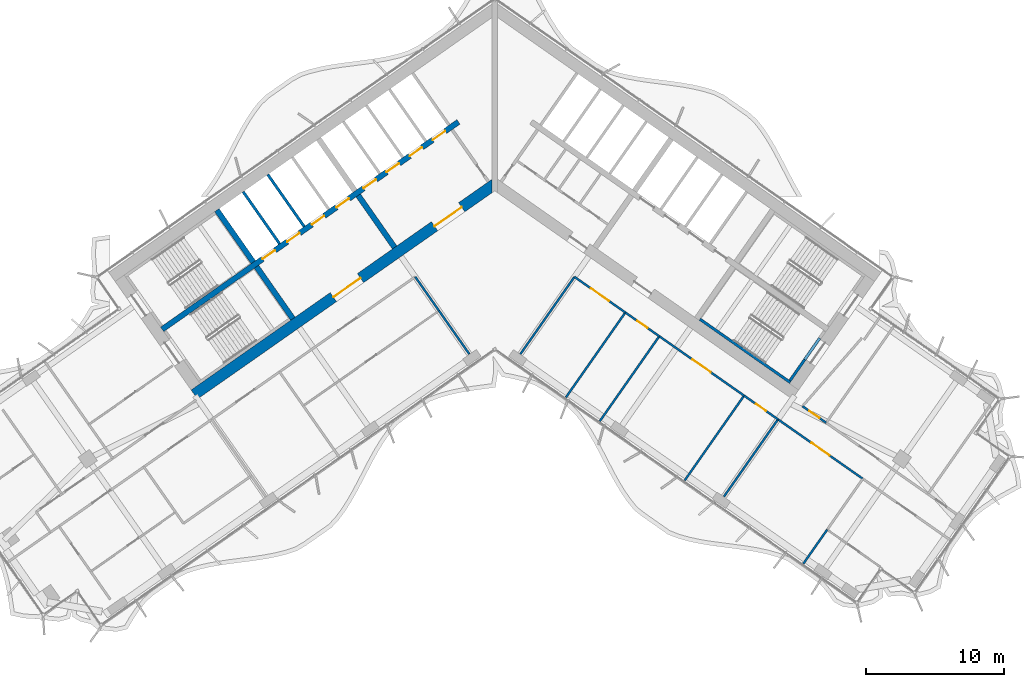
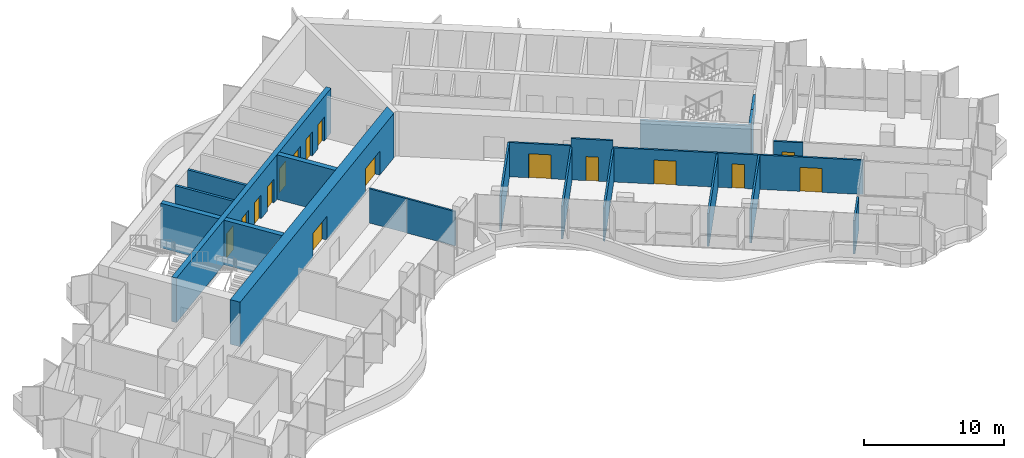
# One storey, part 13 of 21: 24 walls, 16 doors, 16 openings.
"""IFC4 building model written with IfcOpenShell, lengths in metres."""

from ifc_helpers import new_model, si_unit, direction, frame, frame_2d, origin, place, context, subcontext, project, spatial, polyline, rectangle, outline, extrude, material, layer, layer_set, type_object, element, fill, save


model = new_model("IFC4")

# Units and contexts
model_context = context("Model", 3, precision=1e-05, world=origin(), true_north=direction((0.0, 1.0)))
body_context = subcontext(model_context, "Body", "Model", "MODEL_VIEW")
ifc_project = project(units=[si_unit("LENGTHUNIT", "METRE"), si_unit("AREAUNIT", "SQUARE_METRE"), si_unit("VOLUMEUNIT", "CUBIC_METRE"), si_unit("PLANEANGLEUNIT", "RADIAN"), si_unit("MASSUNIT", "GRAM", prefix="KILO")], contexts=[model_context])

# Site, building, storey
site_placement = place(None, origin())
site = spatial("IfcSite", under=ifc_project, at=site_placement, CompositionType="ELEMENT")
building_placement = place(site_placement, origin())
building = spatial("IfcBuilding", under=site, at=building_placement, Name="Tel Ilan Convention Tower", CompositionType="ELEMENT")
storey_placement = place(building_placement, frame((0.0, 0.0, 163.199951171875)))
storey = spatial("IfcBuildingStorey", under=building, at=storey_placement, Name="L37", CompositionType="ELEMENT", Elevation=163.199951171875)

# Walls
ifc_material_1 = material(Name="Concrete C50/60", Category="concrete")
ifc_layer_1 = layer(ifc_material_1, 0.39990234375)
ifc_layer_set_1 = layer_set([ifc_layer_1], Name="Core Shear Wall 400 mm C50/60")
wall_type_1 = type_object("IfcWallType", Name="Core Shear Wall 400 mm C50/60", PredefinedType="SHEAR", material=ifc_layer_set_1)
wall_1_placement = place(storey_placement, frame((-7.2578125, -5.325927734375, 0.0), z_axis=(0.0, 0.0, 1.0), x_axis=(-0.573540709186, 0.819177059558, 0.0)))
element("IfcWall", 1, at=wall_1_placement, inside=storey, type_object=wall_type_1, Name="L37 core wall W-cross1-1", PredefinedType="SHEAR", context=body_context, shape_type="SweptSolid", body=[
    extrude(outline(polyline([(4.599853515625, 0.2001953125), (-0.000244140625, 0.199951171875), (-0.000244140625, -0.2001953125), (4.599853515625, -0.199951171875), (4.599853515625, 0.2001953125)])), origin(), (0.0, 0.0, 1.0), 3.900146484375),
])
wall_2_placement = place(storey_placement, frame((-14.6298828125, -10.48828125, 0.0), z_axis=(0.0, 0.0, 1.0), x_axis=(-0.573611936273, 0.819127185829, 0.0)))
element("IfcWall", 2, at=wall_2_placement, inside=storey, type_object=wall_type_1, Name="L37 core wall W-cross2-1", PredefinedType="SHEAR", context=body_context, shape_type="SweptSolid", body=[
    extrude(outline(polyline([(4.60009765625, 0.199951171875), (0.000244140625, 0.2001953125), (0.000244140625, -0.199951171875), (4.60009765625, -0.2001953125), (4.60009765625, 0.199951171875)])), origin(), (0.0, 0.0, 1.0), 3.900146484375),
])
wall_3_placement = place(storey_placement, frame((-17.497802734375, -6.392333984375, 0.0), z_axis=(0.0, 0.0, 1.0), x_axis=(-0.573611936273, 0.819127185829, 0.0)))
element("IfcWall", 3, at=wall_3_placement, inside=storey, type_object=wall_type_1, Name="L37 core wall W-cross2-2", PredefinedType="SHEAR", context=body_context, shape_type="SweptSolid", body=[
    extrude(outline(polyline([(4.599853515625, -0.2001953125), (4.599853515625, 0.199951171875), (0.0, 0.2001953125), (0.0, -0.199951171875), (4.599853515625, -0.2001953125)])), origin(), (0.0, 0.0, 1.0), 3.900146484375),
])

# Wall, openings, doors
wall_4_placement = place(storey_placement, frame((-2.638427734375, 3.76806640625, 0.0), z_axis=(0.0, 0.0, 1.0), x_axis=(-0.81915267502, -0.573575535572, 0.0)))
wall_4 = element("IfcWall", 4, at=wall_4_placement, inside=storey, type_object=wall_type_1, Name="L37 core wall W-spine", PredefinedType="SHEAR", context=body_context, shape_type="SweptSolid", body=[
    extrude(outline(polyline([(26.199951171875, 0.199951171875), (0.0, 0.199951171875), (0.0, -0.199951171875), (26.199951171875, -0.199951171875), (26.199951171875, 0.199951171875)])), origin(), (0.0, 0.0, 1.0), 3.900146484375),
])
opening_1_placement = place(wall_4_placement, frame((1.168701171875, 0.0, 0.0)))
opening_1 = element("IfcOpeningElement", 5, at=opening_1_placement, cuts=wall_4, Name="Opening LD2904", PredefinedType="OPENING", context=body_context, shape_type="SweptSolid", body=[
    extrude(rectangle(XDim=1.10009765625, YDim=2.10009765625, at=frame_2d((0.550048828125, 1.050048828125))), frame((0.0, 0.2099609375, 0.0), z_axis=(0.0, -1.0, 0.0), x_axis=(1.0, 0.0, 0.0)), (0.0, 0.0, 1.0), 0.419921875),
])
opening_2_placement = place(wall_4_placement, frame((3.206298828125, 0.0, 0.0)))
opening_2 = element("IfcOpeningElement", 6, at=opening_2_placement, cuts=wall_4, Name="Opening LD2905", PredefinedType="OPENING", context=body_context, shape_type="SweptSolid", body=[
    extrude(rectangle(XDim=1.10009765625, YDim=2.10009765625, at=frame_2d((0.550048828125, 1.050048828125))), frame((0.0, 0.2099609375, 0.0), z_axis=(0.0, -1.0, 0.0), x_axis=(1.0, 0.0, 0.0)), (0.0, 0.0, 1.0), 0.419921875),
])
opening_3_placement = place(wall_4_placement, frame((5.24365234375, 0.0, 0.0)))
opening_3 = element("IfcOpeningElement", 7, at=opening_3_placement, cuts=wall_4, Name="Opening LD2906", PredefinedType="OPENING", context=body_context, shape_type="SweptSolid", body=[
    extrude(rectangle(XDim=1.10009765625, YDim=2.10009765625, at=frame_2d((0.550048828125, 1.050048828125))), frame((0.0, 0.2099609375, 0.0), z_axis=(0.0, -1.0, 0.0), x_axis=(1.0, 0.0, 0.0)), (0.0, 0.0, 1.0), 0.419921875),
])
opening_4_placement = place(wall_4_placement, frame((7.28125, 0.0, 0.0)))
opening_4 = element("IfcOpeningElement", 8, at=opening_4_placement, cuts=wall_4, Name="Opening LD2907", PredefinedType="OPENING", context=body_context, shape_type="SweptSolid", body=[
    extrude(rectangle(XDim=1.10009765625, YDim=2.10009765625, at=frame_2d((0.550048828125, 1.050048828125))), frame((0.0, 0.2099609375, 0.0), z_axis=(0.0, -1.0, 0.0), x_axis=(1.0, 0.0, 0.0)), (0.0, 0.0, 1.0), 0.419921875),
])
opening_5_placement = place(wall_4_placement, frame((9.6875, 0.0, 0.0)))
opening_5 = element("IfcOpeningElement", 9, at=opening_5_placement, cuts=wall_4, Name="Opening LD2908", PredefinedType="OPENING", context=body_context, shape_type="SweptSolid", body=[
    extrude(rectangle(XDim=1.10009765625, YDim=2.10009765625, at=frame_2d((0.550048828125, 1.050048828125))), frame((0.0, 0.2099609375, 0.0), z_axis=(0.0, -1.0, 0.0), x_axis=(1.0, 0.0, 0.0)), (0.0, 0.0, 1.0), 0.419921875),
])
opening_6_placement = place(wall_4_placement, frame((11.862548828125, 0.0, 0.0)))
opening_6 = element("IfcOpeningElement", 10, at=opening_6_placement, cuts=wall_4, Name="Opening LD2909", PredefinedType="OPENING", context=body_context, shape_type="SweptSolid", body=[
    extrude(rectangle(XDim=1.10009765625, YDim=2.10009765625, at=frame_2d((0.550048828125, 1.050048828125))), frame((0.0, 0.2099609375, 0.0), z_axis=(0.0, -1.0, 0.0), x_axis=(1.0, 0.0, 0.0)), (0.0, 0.0, 1.0), 0.419921875),
])
opening_7_placement = place(wall_4_placement, frame((14.03759765625, 0.0, 0.0)))
opening_7 = element("IfcOpeningElement", 11, at=opening_7_placement, cuts=wall_4, Name="Opening LD2910", PredefinedType="OPENING", context=body_context, shape_type="SweptSolid", body=[
    extrude(rectangle(XDim=1.10009765625, YDim=2.10009765625, at=frame_2d((0.550048828125, 1.050048828125))), frame((0.0, 0.2099609375, 0.0), z_axis=(0.0, -1.0, 0.0), x_axis=(1.0, 0.0, 0.0)), (0.0, 0.0, 1.0), 0.419921875),
])
opening_8_placement = place(wall_4_placement, frame((16.21240234375, 0.0, 0.0)))
opening_8 = element("IfcOpeningElement", 12, at=opening_8_placement, cuts=wall_4, Name="Opening LD2911", PredefinedType="OPENING", context=body_context, shape_type="SweptSolid", body=[
    extrude(rectangle(XDim=1.10009765625, YDim=2.10009765625, at=frame_2d((0.550048828125, 1.050048828125))), frame((0.0, 0.2099609375, 0.0), z_axis=(0.0, -1.0, 0.0), x_axis=(1.0, 0.0, 0.0)), (0.0, 0.0, 1.0), 0.419921875),
])
ifc_material_2 = material(Name="Stainless Steel Sliding Door Leaf", Category="steel")
door_type_1 = type_object("IfcDoorType", Name="Lift Landing Door 1100 x 2100 FD120", OperationType="NOTDEFINED", PredefinedType="DOOR", material=ifc_material_2)
door_1_placement = place(opening_1_placement, origin())
door_1 = element("IfcDoor", 13, at=door_1_placement, inside=storey, type_object=door_type_1, Name="Lift LR1 landing door", OperationType="SLIDING_TO_LEFT", OverallHeight=2.10009765625, OverallWidth=1.10009765625, PredefinedType="DOOR", context=body_context, shape_type="SweptSolid", body=[
    extrude(rectangle(XDim=1.10009765625, YDim=2.10009765625, at=frame_2d((0.550048828125, 1.050048828125))), frame((0.0, 0.02490234375, 0.0), z_axis=(0.0, -1.0, 0.0), x_axis=(1.0, 0.0, 0.0)), (0.0, 0.0, 1.0), 0.050048828125),
])
fill(opening_1, door_1)
door_2_placement = place(opening_2_placement, origin())
door_2 = element("IfcDoor", 14, at=door_2_placement, inside=storey, type_object=door_type_1, Name="Lift LR2 landing door", OperationType="SLIDING_TO_RIGHT", OverallHeight=2.10009765625, OverallWidth=1.10009765625, PredefinedType="DOOR", context=body_context, shape_type="SweptSolid", body=[
    extrude(rectangle(XDim=1.10009765625, YDim=2.10009765625, at=frame_2d((0.550048828125, 1.050048828125))), frame((0.0, 0.02490234375, 0.0), z_axis=(0.0, -1.0, 0.0), x_axis=(1.0, 0.0, 0.0)), (0.0, 0.0, 1.0), 0.050048828125),
])
fill(opening_2, door_2)
door_3_placement = place(opening_3_placement, origin())
door_3 = element("IfcDoor", 15, at=door_3_placement, inside=storey, type_object=door_type_1, Name="Lift LR3 landing door", OperationType="SLIDING_TO_LEFT", OverallHeight=2.10009765625, OverallWidth=1.10009765625, PredefinedType="DOOR", context=body_context, shape_type="SweptSolid", body=[
    extrude(rectangle(XDim=1.10009765625, YDim=2.10009765625, at=frame_2d((0.550048828125, 1.050048828125))), frame((0.0, 0.02490234375, 0.0), z_axis=(0.0, -1.0, 0.0), x_axis=(1.0, 0.0, 0.0)), (0.0, 0.0, 1.0), 0.050048828125),
])
fill(opening_3, door_3)
door_4_placement = place(opening_4_placement, origin())
door_4 = element("IfcDoor", 16, at=door_4_placement, inside=storey, type_object=door_type_1, Name="Lift LR4 landing door", OperationType="SLIDING_TO_RIGHT", OverallHeight=2.10009765625, OverallWidth=1.10009765625, PredefinedType="DOOR", context=body_context, shape_type="SweptSolid", body=[
    extrude(rectangle(XDim=1.10009765625, YDim=2.10009765625, at=frame_2d((0.550048828125, 1.050048828125))), frame((0.0, 0.02490234375, 0.0), z_axis=(0.0, -1.0, 0.0), x_axis=(1.0, 0.0, 0.0)), (0.0, 0.0, 1.0), 0.050048828125),
])
fill(opening_4, door_4)
door_5_placement = place(opening_5_placement, origin())
door_5 = element("IfcDoor", 17, at=door_5_placement, inside=storey, type_object=door_type_1, Name="Lift LR5 landing door", OperationType="SLIDING_TO_LEFT", OverallHeight=2.10009765625, OverallWidth=1.10009765625, PredefinedType="DOOR", context=body_context, shape_type="SweptSolid", body=[
    extrude(rectangle(XDim=1.10009765625, YDim=2.10009765625, at=frame_2d((0.550048828125, 1.050048828125))), frame((0.0, 0.02490234375, 0.0), z_axis=(0.0, -1.0, 0.0), x_axis=(1.0, 0.0, 0.0)), (0.0, 0.0, 1.0), 0.050048828125),
])
fill(opening_5, door_5)
door_6_placement = place(opening_6_placement, origin())
door_6 = element("IfcDoor", 18, at=door_6_placement, inside=storey, type_object=door_type_1, Name="Lift LR6 landing door", OperationType="SLIDING_TO_RIGHT", OverallHeight=2.10009765625, OverallWidth=1.10009765625, PredefinedType="DOOR", context=body_context, shape_type="SweptSolid", body=[
    extrude(rectangle(XDim=1.10009765625, YDim=2.10009765625, at=frame_2d((0.550048828125, 1.050048828125))), frame((0.0, 0.02490234375, 0.0), z_axis=(0.0, -1.0, 0.0), x_axis=(1.0, 0.0, 0.0)), (0.0, 0.0, 1.0), 0.050048828125),
])
fill(opening_6, door_6)
door_7_placement = place(opening_7_placement, origin())
door_7 = element("IfcDoor", 19, at=door_7_placement, inside=storey, type_object=door_type_1, Name="Lift LR7 landing door", OperationType="SLIDING_TO_LEFT", OverallHeight=2.10009765625, OverallWidth=1.10009765625, PredefinedType="DOOR", context=body_context, shape_type="SweptSolid", body=[
    extrude(rectangle(XDim=1.10009765625, YDim=2.10009765625, at=frame_2d((0.550048828125, 1.050048828125))), frame((0.0, 0.02490234375, 0.0), z_axis=(0.0, -1.0, 0.0), x_axis=(1.0, 0.0, 0.0)), (0.0, 0.0, 1.0), 0.050048828125),
])
fill(opening_7, door_7)
door_8_placement = place(opening_8_placement, origin())
door_8 = element("IfcDoor", 20, at=door_8_placement, inside=storey, type_object=door_type_1, Name="Lift LR8 landing door", OperationType="SLIDING_TO_RIGHT", OverallHeight=2.10009765625, OverallWidth=1.10009765625, PredefinedType="DOOR", context=body_context, shape_type="SweptSolid", body=[
    extrude(rectangle(XDim=1.10009765625, YDim=2.10009765625, at=frame_2d((0.550048828125, 1.050048828125))), frame((0.0, 0.02490234375, 0.0), z_axis=(0.0, -1.0, 0.0), x_axis=(1.0, 0.0, 0.0)), (0.0, 0.0, 1.0), 0.050048828125),
])
fill(opening_8, door_8)

ifc_material_3 = material(Name="Concrete C50/60", Category="concrete")
ifc_layer_2 = layer(ifc_material_3, 0.800048828125)
ifc_layer_set_2 = layer_set([ifc_layer_2], Name="Core Shear Wall 800 mm C50/60")
wall_type_2 = type_object("IfcWallType", Name="Core Shear Wall 800 mm C50/60", PredefinedType="SHEAR", material=ifc_layer_set_2)
wall_5_placement = place(storey_placement, frame((0.029296875, -0.7119140625, 0.0), z_axis=(0.0, 0.0, 1.0), x_axis=(-0.819151758019, -0.573576845187, 0.0)))
wall_5 = element("IfcWall", 21, at=wall_5_placement, inside=storey, type_object=wall_type_2, Name="L37 core wall W-front", PredefinedType="SHEAR", context=body_context, shape_type="SweptSolid", body=[
    extrude(outline(polyline([(26.61572265625, 0.39990234375), (0.56005859375, 0.39990234375), (-0.000244140625, -0.39990234375), (26.61572265625, -0.39990234375), (26.61572265625, 0.39990234375)])), origin(), (0.0, 0.0, 1.0), 3.900146484375),
])
opening_9_placement = place(wall_5_placement, frame((2.9658203125, 0.0, 0.0)))
opening_9 = element("IfcOpeningElement", 22, at=opening_9_placement, cuts=wall_5, Name="Opening CD2905", PredefinedType="OPENING", context=body_context, shape_type="SweptSolid", body=[
    extrude(rectangle(XDim=2.39990234375, YDim=2.10009765625, at=frame_2d((1.199951171875, 1.050048828125))), frame((0.0, 0.409912109375, 0.0), z_axis=(0.0, -1.0, 0.0), x_axis=(1.0, 0.0, 0.0)), (0.0, 0.0, 1.0), 0.820068359375),
])
opening_10_placement = place(wall_5_placement, frame((11.915771484375, 0.0, 0.0)))
opening_10 = element("IfcOpeningElement", 23, at=opening_10_placement, cuts=wall_5, Name="Opening CD2906", PredefinedType="OPENING", context=body_context, shape_type="SweptSolid", body=[
    extrude(rectangle(XDim=2.39990234375, YDim=2.10009765625, at=frame_2d((1.199951171875, 1.050048828125))), frame((0.0, 0.409912109375, 0.0), z_axis=(0.0, -1.0, 0.0), x_axis=(1.0, 0.0, 0.0)), (0.0, 0.0, 1.0), 0.820068359375),
])
ifc_material_4 = material(Name="Glazed Aluminium Door Leaf", Category="aluminium")
door_type_2 = type_object("IfcDoorType", Name="Lobby Opening Door 2400 x 2100 FD60S", OperationType="NOTDEFINED", PredefinedType="DOOR", material=ifc_material_4)
door_9_placement = place(opening_9_placement, origin())
door_9 = element("IfcDoor", 24, at=door_9_placement, inside=storey, type_object=door_type_2, Name="Lift Lobby LR1-LR4 opening", OperationType="DOUBLE_DOOR_SINGLE_SWING", OverallHeight=2.10009765625, OverallWidth=2.39990234375, PredefinedType="DOOR", context=body_context, shape_type="SweptSolid", body=[
    extrude(rectangle(XDim=2.39990234375, YDim=2.10009765625, at=frame_2d((1.199951171875, 1.050048828125))), frame((0.0, 0.02490234375, 0.0), z_axis=(0.0, -1.0, 0.0), x_axis=(1.0, 0.0, 0.0)), (0.0, 0.0, 1.0), 0.050048828125),
])
fill(opening_9, door_9)
door_10_placement = place(opening_10_placement, origin())
door_10 = element("IfcDoor", 25, at=door_10_placement, inside=storey, type_object=door_type_2, Name="Lift Lobby LR5-LR8 opening", OperationType="DOUBLE_DOOR_SINGLE_SWING", OverallHeight=2.10009765625, OverallWidth=2.39990234375, PredefinedType="DOOR", context=body_context, shape_type="SweptSolid", body=[
    extrude(rectangle(XDim=2.39990234375, YDim=2.10009765625, at=frame_2d((1.199951171875, 1.050048828125))), frame((0.0, 0.02490234375, 0.0), z_axis=(0.0, -1.0, 0.0), x_axis=(1.0, 0.0, 0.0)), (0.0, 0.0, 1.0), 0.050048828125),
])
fill(opening_10, door_10)

# Wall, opening, door
ifc_material_5 = material(Name="Plasterboard on Steel Studs", Category="steel")
ifc_layer_3 = layer(ifc_material_5, 0.14990234375)
ifc_layer_set_3 = layer_set([ifc_layer_3], Name="Fire-rated Partition 150 EI 60")
wall_type_3 = type_object("IfcWallType", Name="Fire-rated Partition 150 EI 60", PredefinedType="PARTITIONING", material=ifc_layer_set_3)
wall_6_placement = place(storey_placement, frame((22.283203125, -16.82373046875, 0.0), z_axis=(0.0, 0.0, 1.0), x_axis=(0.819182738768, -0.573532597595, 0.0)))
wall_6 = element("IfcWall", 26, at=wall_6_placement, inside=storey, type_object=wall_type_3, Name="Partition 001", PredefinedType="PARTITIONING", context=body_context, shape_type="SweptSolid", body=[
    extrude(rectangle(XDim=2.09912109375, YDim=0.14990234375, at=frame_2d((1.049560546875, 0.0))), origin(), (0.0, 0.0, 1.0), 3.0),
])
opening_11_placement = place(wall_6_placement, frame((0.599609375, 0.0, 0.0)))
opening_11 = element("IfcOpeningElement", 27, at=opening_11_placement, cuts=wall_6, Name="Opening L37-019", PredefinedType="OPENING", context=body_context, shape_type="SweptSolid", body=[
    extrude(rectangle(XDim=0.89990234375, YDim=2.10009765625, at=frame_2d((0.449951171875, 1.050048828125))), frame((0.0, 0.0849609375, 0.0), z_axis=(0.0, -1.0, 0.0), x_axis=(1.0, 0.0, 0.0)), (0.0, 0.0, 1.0), 0.169921875),
])
ifc_material_6 = material(Name="Timber Door Leaf in Steel Frame", Category="steel")
door_type_3 = type_object("IfcDoorType", Name="Room Fire Door 900x2100", OperationType="NOTDEFINED", PredefinedType="DOOR", material=ifc_material_6)
door_11_placement = place(opening_11_placement, origin())
door_11 = element("IfcDoor", 28, at=door_11_placement, inside=storey, type_object=door_type_3, Name="Door L37-019", OperationType="SINGLE_SWING_LEFT", OverallHeight=2.10009765625, OverallWidth=0.89990234375, PredefinedType="DOOR", context=body_context, shape_type="SweptSolid", body=[
    extrude(rectangle(XDim=0.89990234375, YDim=2.10009765625, at=frame_2d((0.449951171875, 1.050048828125))), frame((0.0, 0.02490234375, 0.0), z_axis=(0.0, -1.0, 0.0), x_axis=(1.0, 0.0, 0.0)), (0.0, 0.0, 1.0), 0.050048828125),
])
fill(opening_11, door_11)

wall_7_placement = place(storey_placement, frame((9.4541015625, -10.0380859375, 0.0), z_axis=(0.0, 0.0, 1.0), x_axis=(-0.819142740634, 0.573589723117, 0.0)))
wall_7 = element("IfcWall", 29, at=wall_7_placement, inside=storey, type_object=wall_type_3, Name="Partition 004", PredefinedType="PARTITIONING", context=body_context, shape_type="SweptSolid", body=[
    extrude(rectangle(XDim=4.501953125, YDim=0.14990234375, at=frame_2d((2.2509765625, 0.0))), origin(), (0.0, 0.0, 1.0), 3.0),
])
opening_12_placement = place(wall_7_placement, frame((1.450927734375, 0.0, 0.0)))
opening_12 = element("IfcOpeningElement", 30, at=opening_12_placement, cuts=wall_7, Name="Opening L37-012", PredefinedType="OPENING", context=body_context, shape_type="SweptSolid", body=[
    extrude(rectangle(XDim=1.60009765625, YDim=2.10009765625, at=frame_2d((0.800048828125, 1.050048828125))), frame((0.0, 0.0849609375, 0.0), z_axis=(0.0, -1.0, 0.0), x_axis=(1.0, 0.0, 0.0)), (0.0, 0.0, 1.0), 0.169921875),
])
ifc_material_7 = material(Name="Timber Door Leaf in Steel Frame", Category="steel")
door_type_4 = type_object("IfcDoorType", Name="Tenant Suite Entrance Fire Door 1600x2100", OperationType="NOTDEFINED", PredefinedType="DOOR", material=ifc_material_7)
door_12_placement = place(opening_12_placement, origin())
door_12 = element("IfcDoor", 31, at=door_12_placement, inside=storey, type_object=door_type_4, Name="Door L37-012", OperationType="DOUBLE_DOOR_SINGLE_SWING", OverallHeight=2.10009765625, OverallWidth=1.60009765625, PredefinedType="DOOR", context=body_context, shape_type="SweptSolid", body=[
    extrude(rectangle(XDim=1.60009765625, YDim=2.10009765625, at=frame_2d((0.800048828125, 1.050048828125))), frame((0.0, 0.02490234375, 0.0), z_axis=(0.0, -1.0, 0.0), x_axis=(1.0, 0.0, 0.0)), (0.0, 0.0, 1.0), 0.050048828125),
])
fill(opening_12, door_12)

wall_8_placement = place(storey_placement, frame((11.91162109375, -11.7587890625, 0.0), z_axis=(0.0, 0.0, 1.0), x_axis=(-0.81916700466, 0.573555070134, 0.0)))
wall_8 = element("IfcWall", 32, at=wall_8_placement, inside=storey, type_object=wall_type_3, Name="Partition 005", PredefinedType="PARTITIONING", context=body_context, shape_type="SweptSolid", body=[
    extrude(rectangle(XDim=3.00390625, YDim=0.14990234375, at=frame_2d((1.501953125, 0.0))), origin(), (0.0, 0.0, 1.0), 3.6201171875),
])
opening_13_placement = place(wall_8_placement, frame((1.052001953125, 0.0, 0.0)))
opening_13 = element("IfcOpeningElement", 33, at=opening_13_placement, cuts=wall_8, Name="Opening L37-013", PredefinedType="OPENING", context=body_context, shape_type="SweptSolid", body=[
    extrude(rectangle(XDim=0.89990234375, YDim=2.10009765625, at=frame_2d((0.449951171875, 1.050048828125))), frame((0.0, 0.0849609375, 0.0), z_axis=(0.0, -1.0, 0.0), x_axis=(1.0, 0.0, 0.0)), (0.0, 0.0, 1.0), 0.169921875),
])
door_13_placement = place(opening_13_placement, origin())
door_13 = element("IfcDoor", 34, at=door_13_placement, inside=storey, type_object=door_type_3, Name="Door L37-013", OperationType="SINGLE_SWING_RIGHT", OverallHeight=2.10009765625, OverallWidth=0.89990234375, PredefinedType="DOOR", context=body_context, shape_type="SweptSolid", body=[
    extrude(rectangle(XDim=0.89990234375, YDim=2.10009765625, at=frame_2d((0.449951171875, 1.050048828125))), frame((0.0, 0.02490234375, 0.0), z_axis=(0.0, -1.0, 0.0), x_axis=(1.0, 0.0, 0.0)), (0.0, 0.0, 1.0), 0.050048828125),
])
fill(opening_13, door_13)

wall_9_placement = place(storey_placement, frame((18.055419921875, -16.060546875, 0.0), z_axis=(0.0, 0.0, 1.0), x_axis=(-0.819164661457, 0.573558416746, 0.0)))
wall_9 = element("IfcWall", 35, at=wall_9_placement, inside=storey, type_object=wall_type_3, Name="Partition 006", PredefinedType="PARTITIONING", context=body_context, shape_type="SweptSolid", body=[
    extrude(rectangle(XDim=7.50390625, YDim=0.14990234375, at=frame_2d((3.751953125, 0.0))), origin(), (0.0, 0.0, 1.0), 3.0),
])
opening_14_placement = place(wall_9_placement, frame((2.951904296875, 0.0, 0.0)))
opening_14 = element("IfcOpeningElement", 36, at=opening_14_placement, cuts=wall_9, Name="Opening L37-014", PredefinedType="OPENING", context=body_context, shape_type="SweptSolid", body=[
    extrude(rectangle(XDim=1.60009765625, YDim=2.10009765625, at=frame_2d((0.800048828125, 1.050048828125))), frame((0.0, 0.0849609375, 0.0), z_axis=(0.0, -1.0, 0.0), x_axis=(1.0, 0.0, 0.0)), (0.0, 0.0, 1.0), 0.169921875),
])
door_14_placement = place(opening_14_placement, origin())
door_14 = element("IfcDoor", 37, at=door_14_placement, inside=storey, type_object=door_type_4, Name="Door L37-014", OperationType="DOUBLE_DOOR_SINGLE_SWING", OverallHeight=2.10009765625, OverallWidth=1.60009765625, PredefinedType="DOOR", context=body_context, shape_type="SweptSolid", body=[
    extrude(rectangle(XDim=1.60009765625, YDim=2.10009765625, at=frame_2d((0.800048828125, 1.050048828125))), frame((0.0, 0.02490234375, 0.0), z_axis=(0.0, -1.0, 0.0), x_axis=(1.0, 0.0, 0.0)), (0.0, 0.0, 1.0), 0.050048828125),
])
fill(opening_14, door_14)

wall_10_placement = place(storey_placement, frame((20.5126953125, -17.781494140625, 0.0), z_axis=(0.0, 0.0, 1.0), x_axis=(-0.819128818764, 0.573609604409, 0.0)))
wall_10 = element("IfcWall", 38, at=wall_10_placement, inside=storey, type_object=wall_type_3, Name="Partition 007", PredefinedType="PARTITIONING", context=body_context, shape_type="SweptSolid", body=[
    extrude(rectangle(XDim=3.004150390625, YDim=0.14990234375, at=frame_2d((1.501953125, 0.0))), origin(), (0.0, 0.0, 1.0), 3.0),
])
opening_15_placement = place(wall_10_placement, frame((1.052001953125, 0.0, 0.0)))
opening_15 = element("IfcOpeningElement", 39, at=opening_15_placement, cuts=wall_10, Name="Opening L37-015", PredefinedType="OPENING", context=body_context, shape_type="SweptSolid", body=[
    extrude(rectangle(XDim=0.89990234375, YDim=2.10009765625, at=frame_2d((0.449951171875, 1.050048828125))), frame((0.0, 0.0849609375, 0.0), z_axis=(0.0, -1.0, 0.0), x_axis=(1.0, 0.0, 0.0)), (0.0, 0.0, 1.0), 0.169921875),
])
door_15_placement = place(opening_15_placement, origin())
door_15 = element("IfcDoor", 40, at=door_15_placement, inside=storey, type_object=door_type_3, Name="Door L37-015", OperationType="SINGLE_SWING_RIGHT", OverallHeight=2.10009765625, OverallWidth=0.89990234375, PredefinedType="DOOR", context=body_context, shape_type="SweptSolid", body=[
    extrude(rectangle(XDim=0.89990234375, YDim=2.10009765625, at=frame_2d((0.449951171875, 1.050048828125))), frame((0.0, 0.02490234375, 0.0), z_axis=(0.0, -1.0, 0.0), x_axis=(1.0, 0.0, 0.0)), (0.0, 0.0, 1.0), 0.050048828125),
])
fill(opening_15, door_15)

wall_11_placement = place(storey_placement, frame((26.65625, -22.083251953125, 0.0), z_axis=(0.0, 0.0, 1.0), x_axis=(-0.819138671238, 0.573595534573, 0.0)))
wall_11 = element("IfcWall", 41, at=wall_11_placement, inside=storey, type_object=wall_type_3, Name="Partition 008", PredefinedType="PARTITIONING", context=body_context, shape_type="SweptSolid", body=[
    extrude(rectangle(XDim=7.50390625, YDim=0.14990234375, at=frame_2d((3.751953125, 0.0))), origin(), (0.0, 0.0, 1.0), 3.0),
])
opening_16_placement = place(wall_11_placement, frame((2.951904296875, 0.0, 0.0)))
opening_16 = element("IfcOpeningElement", 42, at=opening_16_placement, cuts=wall_11, Name="Opening L37-016", PredefinedType="OPENING", context=body_context, shape_type="SweptSolid", body=[
    extrude(rectangle(XDim=1.60009765625, YDim=2.10009765625, at=frame_2d((0.800048828125, 1.050048828125))), frame((0.0, 0.0849609375, 0.0), z_axis=(0.0, -1.0, 0.0), x_axis=(1.0, 0.0, 0.0)), (0.0, 0.0, 1.0), 0.169921875),
])
door_16_placement = place(opening_16_placement, origin())
door_16 = element("IfcDoor", 43, at=door_16_placement, inside=storey, type_object=door_type_4, Name="Door L37-016", OperationType="DOUBLE_DOOR_SINGLE_SWING", OverallHeight=2.10009765625, OverallWidth=1.60009765625, PredefinedType="DOOR", context=body_context, shape_type="SweptSolid", body=[
    extrude(rectangle(XDim=1.60009765625, YDim=2.10009765625, at=frame_2d((0.800048828125, 1.050048828125))), frame((0.0, 0.02490234375, 0.0), z_axis=(0.0, -1.0, 0.0), x_axis=(1.0, 0.0, 0.0)), (0.0, 0.0, 1.0), 0.050048828125),
])
fill(opening_16, door_16)

# Walls
wall_12_placement = place(storey_placement, frame((9.452392578125, -10.036865234375, 0.0), z_axis=(0.0, 0.0, 1.0), x_axis=(-0.573575945067, -0.81915238829, 0.0)))
element("IfcWall", 44, at=wall_12_placement, inside=storey, type_object=wall_type_3, Name="Partition 023", PredefinedType="PARTITIONING", context=body_context, shape_type="SweptSolid", body=[
    extrude(rectangle(XDim=7.5, YDim=0.14990234375, at=frame_2d((3.75, 0.0))), origin(), (0.0, 0.0, 1.0), 2.900146484375),
])
wall_13_placement = place(storey_placement, frame((1.848876953125, -13.050537109375, 0.0), z_axis=(0.0, 0.0, 1.0), x_axis=(0.573577493031, 0.819151304393, 0.0)))
element("IfcWall", 45, at=wall_13_placement, inside=storey, type_object=wall_type_3, Name="Partition 024", PredefinedType="PARTITIONING", context=body_context, shape_type="SweptSolid", body=[
    extrude(rectangle(XDim=6.829833984375, YDim=0.14990234375, at=frame_2d((3.4150390625, 0.0))), origin(), (0.0, 0.0, 1.0), 3.0),
])
for number, where, z_axis, x_axis, name in (
    (46, (11.909912109375, -11.757568359375, 0.0), (0.0, 0.0, 1.0), (-0.573560650686, -0.819163097304, 0.0), "Partition 025"),
    (47, (18.0537109375, -16.0595703125, 0.0), (0.0, 0.0, 1.0), (-0.573597787563, -0.819137093595, 0.0), "Partition 026"),
):
    element("IfcWall", number, at=place(storey_placement, frame(where, z_axis=z_axis, x_axis=x_axis)), inside=storey, type_object=wall_type_3, Name=name, PredefinedType="PARTITIONING", context=body_context, shape_type="SweptSolid", body=[
        extrude(rectangle(XDim=7.5, YDim=0.14990234375, at=frame_2d((3.75, 0.0))), origin(), (0.0, 0.0, 1.0), 2.900146484375),
    ])
wall_14_placement = place(storey_placement, frame((20.510986328125, -17.7802734375, 0.0), z_axis=(0.0, 0.0, 1.0), x_axis=(-0.573577493031, -0.819151304393, 0.0)))
element("IfcWall", 48, at=wall_14_placement, inside=storey, type_object=wall_type_3, Name="Partition 027", PredefinedType="PARTITIONING", context=body_context, shape_type="SweptSolid", body=[
    extrude(rectangle(XDim=6.829833984375, YDim=0.14990234375, at=frame_2d((3.4150390625, 0.0))), origin(), (0.0, 0.0, 1.0), 3.0),
])
wall_15_placement = place(storey_placement, frame((24.07421875, -25.767333984375, 0.0), z_axis=(0.0, 0.0, 1.0), x_axis=(-0.573609750632, -0.819128716369, 0.0)))
element("IfcWall", 49, at=wall_15_placement, inside=storey, type_object=wall_type_3, Name="Partition 028", PredefinedType="PARTITIONING", context=body_context, shape_type="SweptSolid", body=[
    extrude(rectangle(XDim=3.0009765625, YDim=0.14990234375, at=frame_2d((1.50048828125, 0.0))), origin(), (0.0, 0.0, 1.0), 2.900146484375),
])
wall_16_placement = place(storey_placement, frame((-1.848876953125, -13.050537109375, 0.0), z_axis=(0.0, 0.0, 1.0), x_axis=(-0.573586379587, 0.81914508187, 0.0)))
element("IfcWall", 50, at=wall_16_placement, inside=storey, type_object=wall_type_3, Name="Partition 031", PredefinedType="PARTITIONING", context=body_context, shape_type="SweptSolid", body=[
    extrude(rectangle(XDim=3.830810546875, YDim=0.14990234375, at=frame_2d((1.91552734375, 0.0))), origin(), (0.0, 0.0, 1.0), 3.0),
])
wall_17_placement = place(storey_placement, frame((-4.04443359375, -9.914794921875, 0.0), z_axis=(0.0, 0.0, 1.0), x_axis=(-0.573609604409, 0.819128818764, 0.0)))
element("IfcWall", 51, at=wall_17_placement, inside=storey, type_object=wall_type_3, Name="Partition 032", PredefinedType="PARTITIONING", context=body_context, shape_type="SweptSolid", body=[
    extrude(rectangle(XDim=3.004150390625, YDim=0.14990234375, at=frame_2d((1.501953125, 0.0))), origin(), (0.0, 0.0, 1.0), 3.0),
])
ifc_material_8 = material(Name="Concrete C30/37", Category="concrete")
ifc_layer_4 = layer(ifc_material_8, 0.199951171875)
ifc_layer_set_4 = layer_set([ifc_layer_4], Name="Lift Shaft Wall 200 mm C30/37")
wall_type_4 = type_object("IfcWallType", Name="Lift Shaft Wall 200 mm C30/37", PredefinedType="SOLIDWALL", material=ifc_layer_set_4)
for number, where, z_axis, x_axis, name in (
    (52, (-13.811767578125, -3.811279296875, 0.0), (0.0, 0.0, 1.0), (-0.573576324356, 0.819152122709, 0.0), "L37 core wall bank-W2-p1"),
    (53, (-15.593505859375, -5.058837890625, 0.0), (0.0, 0.0, 1.0), (-0.573540709186, 0.819177059558, 0.0), "L37 core wall bank-W2-p2"),
):
    element("IfcWall", number, at=place(storey_placement, frame(where, z_axis=z_axis, x_axis=x_axis)), inside=storey, type_object=wall_type_4, Name=name, PredefinedType="SOLIDWALL", context=body_context, shape_type="SweptSolid", body=[
        extrude(rectangle(XDim=4.599853515625, YDim=0.199951171875, at=frame_2d((2.2998046875, 0.0))), origin(), (0.0, 0.0, 1.0), 3.900146484375),
    ])
ifc_material_9 = material(Name="Concrete C30/37", Category="concrete")
ifc_layer_5 = layer(ifc_material_9, 0.199951171875)
ifc_layer_set_5 = layer_set([ifc_layer_5], Name="Stair and Shaft Lining Wall 200 mm C30/37")
wall_type_5 = type_object("IfcWallType", Name="Stair and Shaft Lining Wall 200 mm C30/37", PredefinedType="SOLIDWALL", material=ifc_layer_set_5)
wall_18_placement = place(storey_placement, frame((14.851318359375, -10.52099609375, 0.0), z_axis=(0.0, 0.0, 1.0), x_axis=(0.819141584393, -0.57359137434, 0.0)))
element("IfcWall", 54, at=wall_18_placement, inside=storey, type_object=wall_type_5, Name="L37 core wall lining-S4-t0", PredefinedType="SOLIDWALL", context=body_context, shape_type="SweptSolid", body=[
    extrude(rectangle(XDim=7.999755859375, YDim=0.199951171875, at=frame_2d((4.0, 0.0))), origin(), (0.0, 0.0, 1.0), 3.6201171875),
])
wall_19_placement = place(storey_placement, frame((21.3798828125, -14.97021484375, 0.0), z_axis=(0.0, 0.0, 1.0), x_axis=(0.573559770908, 0.819163713305, 0.0)))
element("IfcWall", 55, at=wall_19_placement, inside=storey, type_object=wall_type_5, Name="L37 core wall lining-S4-u1-0", PredefinedType="SOLIDWALL", context=body_context, shape_type="SweptSolid", body=[
    extrude(rectangle(XDim=1.849853515625, YDim=0.199951171875, at=frame_2d((0.9248046875, 0.0))), origin(), (0.0, 0.0, 1.0), 3.6201171875),
])
wall_20_placement = place(storey_placement, frame((22.44091796875, -13.454833984375, 2.150146484375), z_axis=(0.0, 0.0, 1.0), x_axis=(0.573591692345, 0.819141361715, 0.0)))
element("IfcWall", 56, at=wall_20_placement, inside=storey, type_object=wall_type_5, Name="L37 core wall lining-S4-u1-lintel", PredefinedType="SOLIDWALL", context=body_context, shape_type="SweptSolid", body=[
    extrude(rectangle(XDim=1.900146484375, YDim=0.199951171875, at=frame_2d((0.9501953125, 0.0))), origin(), (0.0, 0.0, 1.0), 1.469970703125),
])

save(model, "model.ifc")
